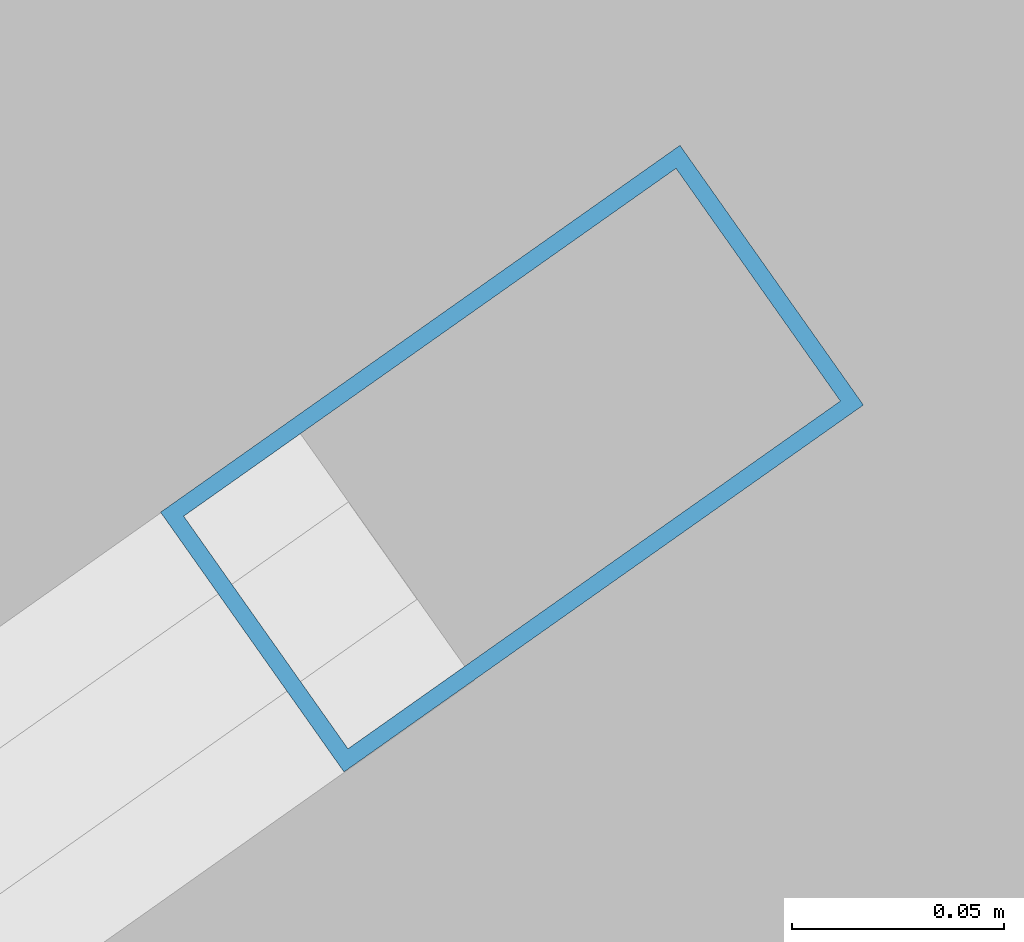
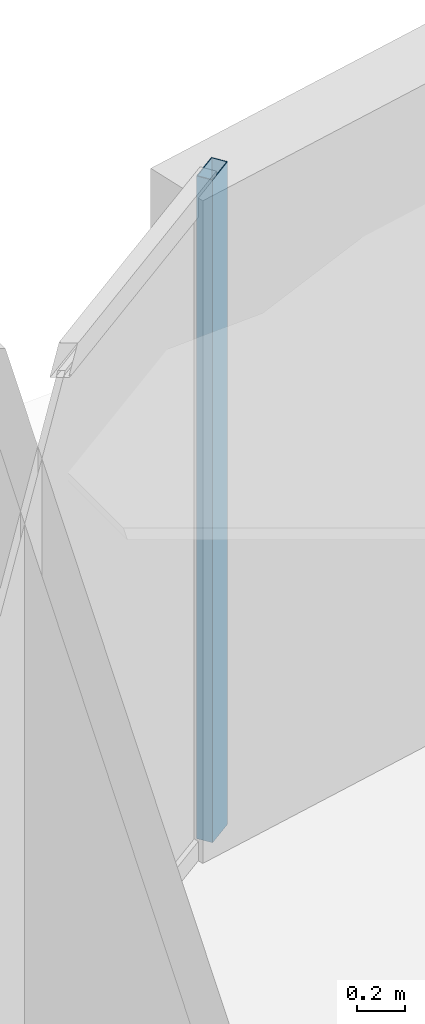
# One storey, part 17 of 32: 1 member, 1 element without a shape of its own.
"""IFC4 building model written with IfcOpenShell, lengths in metres."""

from ifc_helpers import new_model, si_unit, direction, frame, origin, origin_2d, place, context, subcontext, project, spatial, hollow_rectangle, extrude, material, layer, layer_set, material_profile, profile_set, type_object, element, aggregate, save


model = new_model("IFC4")

# Units and contexts
model_context = context("Model", 3, precision=1e-05, world=origin(), true_north=direction((0.0, 1.0)))
body_context = subcontext(model_context, "Body", "Model", "MODEL_VIEW")
ifc_project = project(units=[si_unit("LENGTHUNIT", "METRE"), si_unit("AREAUNIT", "SQUARE_METRE"), si_unit("VOLUMEUNIT", "CUBIC_METRE"), si_unit("PLANEANGLEUNIT", "RADIAN"), si_unit("MASSUNIT", "GRAM", prefix="KILO")], contexts=[model_context])

# Site, building, storey
site_placement = place(None, origin())
site = spatial("IfcSite", under=ifc_project, at=site_placement, CompositionType="ELEMENT")
building_placement = place(site_placement, origin())
building = spatial("IfcBuilding", under=site, at=building_placement, Name="Kazevale Care Tower and Concert Hall", CompositionType="ELEMENT")
storey_placement = place(building_placement, frame((0.0, 0.0, 42.0)))
storey = spatial("IfcBuildingStorey", under=building, at=storey_placement, Name="L10", CompositionType="ELEMENT", Elevation=42.0)

# Curtain wall, member
ifc_material_1 = material(Name="Aluminium 6063-T6 and Low-E Glass", Category="aluminium")
ifc_layer = layer(ifc_material_1, 0.179931640625)
ifc_layer_set = layer_set([ifc_layer], Name="Aluminium 6063-T6 and Low-E Glass")
curtain_wall_type = type_object("IfcCurtainWallType", Name="Convex Recessed Sunroom Curtain Wall CW-3", PredefinedType="NOTDEFINED", material=ifc_layer_set)
curtain_wall_placement = place(storey_placement, origin())
curtain_wall = element("IfcCurtainWall", 1, at=curtain_wall_placement, inside=storey, type_object=curtain_wall_type, Name="cw:L10:f14", PredefinedType="NOTDEFINED")
ifc_material_2 = material(Name="Aluminium 6063-T6", Category="aluminium")
ifc_material_profile = material_profile(ifc_material_2, hollow_rectangle(XDim=0.074951171875, YDim=0.14990234375, WallThickness=0.00390625, at=origin_2d()), Name="ALU75x150x4")
ifc_profile_set = profile_set([ifc_material_profile], Name="Aluminium 6063-T6")
member_type = type_object("IfcMemberType", Name="CW-3 Mullion ALU75x150x4", PredefinedType="MULLION", material=ifc_profile_set)
member_placement = place(storey_placement, frame((25.96435546875, 61.17041015625, 0.0), z_axis=(0.0, 0.0, 1.0), x_axis=(-0.57692895392, 0.816794332821, 0.0)))
member = element("IfcMember", 2, at=member_placement, type_object=member_type, Name="CW-3 mullion 2", PredefinedType="MULLION", context=body_context, shape_type="SweptSolid", body=[
    extrude(hollow_rectangle(XDim=0.074951171875, YDim=0.14990234375, WallThickness=0.00390625, at=origin_2d()), origin(), (0.0, 0.0, 1.0), 3.360107421875),
])
aggregate(curtain_wall, [member])

save(model, "model.ifc")
